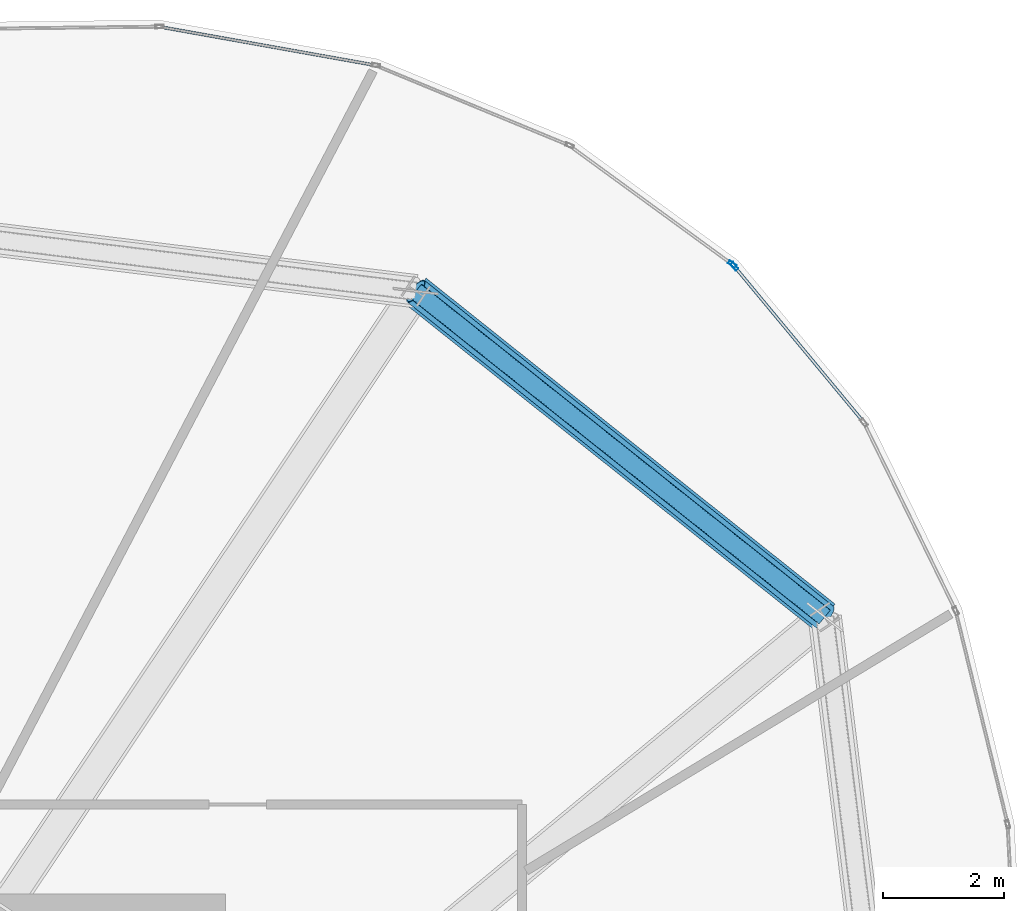
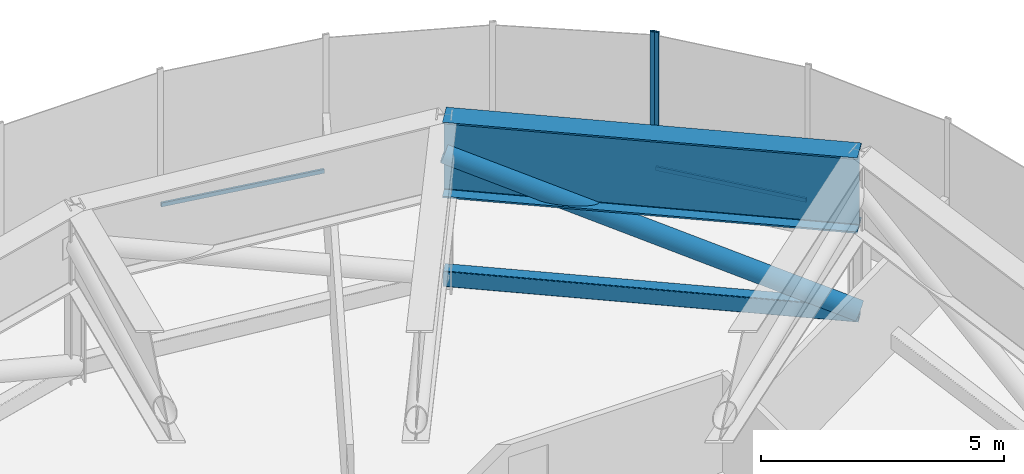
# One storey, part 19 of 26: 6 members, 1 beam, 2 elements without a shape of their own.
"""IFC4 building model written with IfcOpenShell, lengths in metres."""

import ifcopenshell
import ifcopenshell.guid

model = None  # the IFC model being written
_history = None  # IfcOwnerHistory: only IFC2X3 demands one
_inside = {}  # id of a spatial element -> (the spatial element, [elements in it])
_under = {}  # id of a project, library or spatial element -> (it, [spatial elements below it])
_declared = {}  # id of a project -> (the project, [libraries it declares])
_typed = {}  # id of a type object -> (the type object, [elements of that type])
_made_of = {}  # id of a material, layer set ... -> (it, [elements and type objects made of it])


def new_model(schema):
    """Start an empty IFC model of exactly this schema.

    Asked for "IFC4X3", IfcOpenShell would pick the latest addendum, in which some entities
    have other attributes; the version numbers below select the first issue.
    IFC2X3 requires an IfcOwnerHistory on every rooted entity: one is made here for all.
    """
    global model, _history
    if schema == "IFC4X3":
        model = ifcopenshell.file(schema_version=(4, 3, 0, 0))
    else:
        model = ifcopenshell.file(schema=schema)
    _inside.clear()
    _under.clear()
    _declared.clear()
    _typed.clear()
    _made_of.clear()
    _history = None
    if model.schema == "IFC2X3":
        org = make("IfcOrganization", Name="unknown")
        user = make(
            "IfcPersonAndOrganization",
            ThePerson=make("IfcPerson", FamilyName="unknown"),
            TheOrganization=org,
        )
        app = make(
            "IfcApplication",
            ApplicationDeveloper=org,
            Version="unknown",
            ApplicationFullName="unknown",
            ApplicationIdentifier="unknown",
        )
        _history = make(
            "IfcOwnerHistory",
            OwningUser=user,
            OwningApplication=app,
            ChangeAction="ADDED",
            CreationDate=0,
        )
    return model


def make(cls, **values):
    """One entity of the class cls with the attributes given. An attribute that is None is left unset."""
    return model.create_entity(
        cls, **{name: value for name, value in values.items() if value is not None}
    )


def rooted(cls, **values):
    """An entity with a GlobalId (a new one), such as an element, a storey or a relation."""
    return make(cls, GlobalId=ifcopenshell.guid.new(), OwnerHistory=_history, **values)


def si_unit(unit_type, name, prefix=None):
    """IfcSIUnit, for example si_unit("LENGTHUNIT", "METRE", prefix="MILLI")."""
    return make("IfcSIUnit", UnitType=unit_type, Prefix=prefix, Name=name)


def assignment(units):
    """IfcUnitAssignment: the units of a project."""
    return None if units is None else make("IfcUnitAssignment", Units=units)


def point(xyz):
    """IfcCartesianPoint."""
    return None if xyz is None else make("IfcCartesianPoint", Coordinates=xyz)


def direction(xyz):
    """IfcDirection."""
    return None if xyz is None else make("IfcDirection", DirectionRatios=xyz)


def frame(location, z_axis=None, x_axis=None):
    """IfcAxis2Placement3D, a coordinate frame: its origin and axes. An axis left out is left unset."""
    return make(
        "IfcAxis2Placement3D",
        Location=point(location),
        Axis=direction(z_axis),
        RefDirection=direction(x_axis),
    )


def frame_2d(location, x_axis=None):
    """IfcAxis2Placement2D, a coordinate frame in the plane: its origin and x axis."""
    return make(
        "IfcAxis2Placement2D", Location=point(location), RefDirection=direction(x_axis)
    )


def origin():
    """The frame at (0, 0, 0) with its axes left unset."""
    return frame((0.0, 0.0, 0.0))


def origin_2d():
    """The frame at (0, 0) in the plane with its x axis left unset."""
    return frame_2d((0.0, 0.0))


def place(relative_to, where):
    """IfcLocalPlacement: puts the frame where relative to a parent placement (None: the world)."""
    return make(
        "IfcLocalPlacement", PlacementRelTo=relative_to, RelativePlacement=where
    )


def context(
    kind, dimensions, precision=None, world=None, true_north=None, identifier=None
):
    """IfcGeometricRepresentationContext, for example the 3D "Model" context."""
    return make(
        "IfcGeometricRepresentationContext",
        ContextIdentifier=identifier,
        ContextType=kind,
        CoordinateSpaceDimension=dimensions,
        Precision=precision,
        WorldCoordinateSystem=world,
        TrueNorth=true_north,
    )


def subcontext(parent, identifier, kind, view, scale=None):
    """IfcGeometricRepresentationSubContext, for example "Body" below "Model"."""
    return make(
        "IfcGeometricRepresentationSubContext",
        ContextIdentifier=identifier,
        ContextType=kind,
        ParentContext=parent,
        TargetScale=scale,
        TargetView=view,
    )


def project(units=None, contexts=None):
    """IfcProject with its units and contexts."""
    return rooted(
        "IfcProject",
        Name="project",
        RepresentationContexts=contexts,
        UnitsInContext=assignment(units),
    )


def spatial(cls, under=None, at=None, **own):
    """A site, building, storey or space (cls), placed at a placement, below another one or the project."""
    s = rooted(cls, ObjectPlacement=at, **own)
    if under is not None:
        _under.setdefault(under.id(), (under, []))[1].append(s)
    return s


def profile(cls, at=None, kind="AREA", **sizes):
    """A parametric profile (cls). Its sizes go by their IFC names, for example OverallWidth=200.0."""
    return make(cls, ProfileType=kind, Position=at, **sizes)


def hollow_rectangle(**sizes):
    """IfcRectangleHollowProfileDef."""
    return profile("IfcRectangleHollowProfileDef", **sizes)


def hollow_circle(**sizes):
    """IfcCircleHollowProfileDef."""
    return profile("IfcCircleHollowProfileDef", **sizes)


def i_section(**sizes):
    """IfcIShapeProfileDef."""
    return profile("IfcIShapeProfileDef", **sizes)


def extrude(swept, where, along, depth):
    """IfcExtrudedAreaSolid: the profile swept, set in the frame where, extruded along a direction by depth."""
    return make(
        "IfcExtrudedAreaSolid",
        SweptArea=swept,
        Position=where,
        ExtrudedDirection=direction(along),
        Depth=depth,
    )


def shape(context_of_items, identifier, shape_type, items):
    """IfcShapeRepresentation: the items that make up one representation, for example the "Body"."""
    return make(
        "IfcShapeRepresentation",
        ContextOfItems=context_of_items,
        RepresentationIdentifier=identifier,
        RepresentationType=shape_type,
        Items=items,
    )


def source(mapping_origin, context_of_items, identifier, shape_type, items):
    """IfcRepresentationMap: a shape defined once, which mapped items show again and again."""
    return make(
        "IfcRepresentationMap",
        MappingOrigin=mapping_origin,
        MappedRepresentation=shape(context_of_items, identifier, shape_type, items),
    )


def transform(
    local_origin,
    x_axis=None,
    y_axis=None,
    z_axis=None,
    scale=None,
    scale2=None,
    scale3=None,
    uniform=True,
):
    """IfcCartesianTransformationOperator3D, or its non-uniform kind. x_axis, y_axis, z_axis: its Axis1, 2, 3."""
    if uniform:
        return make(
            "IfcCartesianTransformationOperator3D",
            Axis1=direction(x_axis),
            Axis2=direction(y_axis),
            LocalOrigin=point(local_origin),
            Scale=scale,
            Axis3=direction(z_axis),
        )
    return make(
        "IfcCartesianTransformationOperator3DnonUniform",
        Axis1=direction(x_axis),
        Axis2=direction(y_axis),
        LocalOrigin=point(local_origin),
        Scale=scale,
        Axis3=direction(z_axis),
        Scale2=scale2,
        Scale3=scale3,
    )


def mapped(mapping_source, mapping_target):
    """IfcMappedItem: shows the shape of a source again, moved by a transform."""
    return make(
        "IfcMappedItem", MappingSource=mapping_source, MappingTarget=mapping_target
    )


def material(Name=None, Category=None):
    """IfcMaterial."""
    return make("IfcMaterial", Name=Name, Category=Category)


def layer(
    of_material, thickness, ventilated=None, Name=None, Category=None, Priority=None
):
    """IfcMaterialLayer: one layer of a wall or slab, of a material (None: an air gap)."""
    return make(
        "IfcMaterialLayer",
        Material=of_material,
        LayerThickness=thickness,
        IsVentilated=ventilated,
        Name=Name,
        Category=Category,
        Priority=Priority,
    )


def layer_set(layers, Name=None):
    """IfcMaterialLayerSet."""
    return make("IfcMaterialLayerSet", MaterialLayers=layers, LayerSetName=Name)


def material_profile(
    of_material, cross_section, Name=None, Category=None, Priority=None
):
    """IfcMaterialProfile: a cross section and its material."""
    return make(
        "IfcMaterialProfile",
        Name=Name,
        Material=of_material,
        Profile=cross_section,
        Priority=Priority,
        Category=Category,
    )


def profile_set(profiles, Name=None, composite=None):
    """IfcMaterialProfileSet."""
    return make(
        "IfcMaterialProfileSet",
        Name=Name,
        MaterialProfiles=profiles,
        CompositeProfile=composite,
    )


def made_of(thing, what):
    """Note that an element or type object is made of a material, layer set ...; save() writes the relation."""
    if what is not None:
        _made_of.setdefault(what.id(), (what, []))[1].append(thing)
    return thing


def type_object(cls, material=None, **own):
    """A type object (cls), such as IfcWallType, which elements share."""
    return made_of(rooted(cls, **own), material)


def element(
    cls,
    number,
    at=None,
    inside=None,
    cuts=None,
    type_object=None,
    material=None,
    context=None,
    identifier="Body",
    shape_type=None,
    held_by="IfcProductDefinitionShape",
    body=None,
    shapes=None,
    **own,
):
    """One element of the class cls, such as IfcWall. Its Tag is "e" and its number.

    at: its placement. inside: the storey or other place that contains it. cuts: it is an
    opening in that element (IfcRelVoidsElement). A single representation is given by context,
    identifier, shape_type and body (its items); several are given by shapes. held_by: the class
    of the entity that holds the representations. save() writes the other relations.
    """
    e = rooted(cls, Tag="e%d" % number, ObjectPlacement=at, **own)
    if body is not None:
        shapes = [shape(context, identifier, shape_type, body)]
    if shapes is not None:
        e.Representation = make(held_by, Representations=shapes)
    if inside is not None:
        _inside.setdefault(inside.id(), (inside, []))[1].append(e)
    if cuts is not None:
        rooted(
            "IfcRelVoidsElement", RelatingBuildingElement=cuts, RelatedOpeningElement=e
        )
    if type_object is not None:
        _typed.setdefault(type_object.id(), (type_object, []))[1].append(e)
    return made_of(e, material)


def aggregate(whole, parts):
    """IfcRelAggregates: a whole, such as a stair, and the parts it consists of."""
    return rooted("IfcRelAggregates", RelatingObject=whole, RelatedObjects=parts)


def save(model, path):
    """Write the relations noted so far, then the file.

    IfcRelAggregates (storeys below a building ...), IfcRelContainedInSpatialStructure (elements
    in a storey), IfcRelDefinesByType, IfcRelAssociatesMaterial and IfcRelDeclares: one each for
    every whole, place, type object, material and project.
    """
    for whole, parts in _under.values():
        aggregate(whole, parts)
    for where, things in _inside.values():
        rooted(
            "IfcRelContainedInSpatialStructure",
            RelatedElements=things,
            RelatingStructure=where,
        )
    for kind, things in _typed.values():
        rooted("IfcRelDefinesByType", RelatedObjects=things, RelatingType=kind)
    for what, things in _made_of.values():
        rooted("IfcRelAssociatesMaterial", RelatedObjects=things, RelatingMaterial=what)
    for by, libraries in _declared.values():
        rooted("IfcRelDeclares", RelatingContext=by, RelatedDefinitions=libraries)
    model.write(path)


model = new_model("IFC4")

# Units and contexts
model_context = context("Model", 3, precision=1e-05, world=origin(), true_north=direction((0.0, 1.0)))
body_context = subcontext(model_context, "Body", "Model", "MODEL_VIEW")
ifc_project = project(units=[si_unit("LENGTHUNIT", "METRE"), si_unit("AREAUNIT", "SQUARE_METRE"), si_unit("VOLUMEUNIT", "CUBIC_METRE"), si_unit("PLANEANGLEUNIT", "RADIAN"), si_unit("MASSUNIT", "GRAM", prefix="KILO"), si_unit("THERMODYNAMICTEMPERATUREUNIT", "KELVIN")], contexts=[model_context])

# Site, building, storey
site_placement = place(None, origin())
site = spatial("IfcSite", under=ifc_project, at=site_placement, CompositionType="ELEMENT")
building_placement = place(site_placement, origin())
building = spatial("IfcBuilding", under=site, at=building_placement, Name="Kethvar Cultural Tower", CompositionType="ELEMENT")
storey_placement = place(building_placement, frame((0.0, 0.0, 223.60009765625)))
storey = spatial("IfcBuildingStorey", under=building, at=storey_placement, Name="L58", CompositionType="ELEMENT", Elevation=223.60009765625)

# Beam
ifc_material_1 = material(Name="Steel S460M", Category="steel")
ifc_material_profile_1 = material_profile(ifc_material_1, i_section(OverallWidth=0.550048828125, OverallDepth=1.89990234375, WebThickness=0.02490234375, FlangeThickness=0.0400390625, FilletRadius=0.02001953125, at=origin_2d()), Name="Steel S460M — PG1900x550x40x25")
ifc_profile_set_1 = profile_set([ifc_material_profile_1], Name="Steel S460M — PG1900x550x40x25")
beam_type = type_object("IfcBeamType", Name="BM-TR1900", PredefinedType="BEAM", material=ifc_profile_set_1)
shared_shape_1 = source(origin(), body_context, "Body", "SweptSolid", [
    extrude(i_section(OverallWidth=0.550048828125, OverallDepth=1.89990234375, WebThickness=0.02490234375, FlangeThickness=0.0400390625, FilletRadius=0.02001953125, at=origin_2d()), origin(), (0.0, 0.0, 1.0), 8.638916015625),
])
beam_placement = place(storey_placement, frame((65.504150390625, 40.297607421875, 3.427978515625), z_axis=(-0.782058475366, 0.623205055425, 0.0), x_axis=(-0.623205055425, -0.782058475366, 0.0)))
element("IfcBeam", 1, at=beam_placement, inside=storey, type_object=beam_type, Name="L58 Ring Belt Girder BG-02", PredefinedType="BEAM", context=body_context, shape_type="MappedRepresentation", body=[
    mapped(shared_shape_1, transform((0.0, 0.0, 0.0), scale=1.0)),
])

# Members
ifc_material_profile_2 = material_profile(ifc_material_1, hollow_rectangle(XDim=0.300048828125, YDim=0.39990234375, WallThickness=0.01611328125, InnerFilletRadius=0.01611328125, OuterFilletRadius=0.031982421875, at=origin_2d()), Name="Steel S460M — RHS400x300x16")
ifc_profile_set_2 = profile_set([ifc_material_profile_2], Name="Steel S460M — RHS400x300x16")
member_type_1 = type_object("IfcMemberType", Name="MB-CHD-400", PredefinedType="CHORD", material=ifc_profile_set_2)
shared_shape_2 = source(origin(), body_context, "Body", "SweptSolid", [
    extrude(hollow_rectangle(XDim=0.300048828125, YDim=0.39990234375, WallThickness=0.01611328125, InnerFilletRadius=0.01611328125, OuterFilletRadius=0.031982421875, at=origin_2d()), origin(), (0.0, 0.0, 1.0), 8.638916015625),
])
member_1_placement = place(storey_placement, frame((65.504150390625, 40.297607421875, 0.349853515625), z_axis=(-0.782058475366, 0.623205055425, 0.0), x_axis=(-0.623205055425, -0.782058475366, 0.0)))
element("IfcMember", 2, at=member_1_placement, inside=storey, type_object=member_type_1, Name="L58 Ring Belt Bottom Chord BC-02", PredefinedType="CHORD", context=body_context, shape_type="MappedRepresentation", body=[
    mapped(shared_shape_2, transform((0.0, 0.0, 0.0), scale=1.0)),
])
ifc_material_2 = material(Name="Steel S355J2", Category="steel")
ifc_material_profile_3 = material_profile(ifc_material_2, hollow_circle(Radius=0.228515625, WallThickness=0.01611328125, at=origin_2d()), Name="Steel S355J2 — CHS457x16")
ifc_profile_set_3 = profile_set([ifc_material_profile_3], Name="Steel S355J2 — CHS457x16")
member_type_2 = type_object("IfcMemberType", Name="MB-OUT-457", PredefinedType="BRACE", material=ifc_profile_set_3)
shared_shape_3 = source(origin(), body_context, "Body", "SweptSolid", [
    extrude(hollow_circle(Radius=0.228515625, WallThickness=0.01611328125, at=origin_2d()), origin(), (0.0, 0.0, 1.0), 9.1708984375),
])
member_2_placement = place(storey_placement, frame((65.504150390625, 40.297607421875, 0.349853515625), z_axis=(-0.736691158285, 0.587052846547, 0.335641315494), x_axis=(-0.623205055425, -0.782058475366, 0.0)))
element("IfcMember", 3, at=member_2_placement, inside=storey, type_object=member_type_2, Name="L58 Ring Belt Diagonal BD-02", PredefinedType="BRACE", context=body_context, shape_type="MappedRepresentation", body=[
    mapped(shared_shape_3, transform((0.0, 0.0, 0.0), scale=1.0)),
])

# Curtain wall, member
ifc_material_3 = material(Name="Aluminium 6063-T6", Category="aluminium")
ifc_layer = layer(ifc_material_3, 0.179931640625, Name="Aluminium 6063-T6", Category="aluminium")
ifc_layer_set = layer_set([ifc_layer], Name="Aluminium 6063-T6 (180 mm)")
curtain_wall_type = type_object("IfcCurtainWallType", Name="CW-SYS-04-Z34", PredefinedType="NOTDEFINED", material=ifc_layer_set)
curtain_wall_1_placement = place(storey_placement, origin())
curtain_wall_1 = element("IfcCurtainWall", 4, at=curtain_wall_1_placement, inside=storey, type_object=curtain_wall_type, Name="L58 Curtain Wall Run 01", PredefinedType="NOTDEFINED")
ifc_material_profile_4 = material_profile(ifc_material_3, hollow_rectangle(XDim=0.06005859375, YDim=0.139892578125, WallThickness=0.0048828125, at=origin_2d()), Name="Aluminium 6063-T6 — RHS140x60x5")
ifc_profile_set_4 = profile_set([ifc_material_profile_4], Name="Aluminium 6063-T6 — RHS140x60x5")
member_type_3 = type_object("IfcMemberType", Name="CW-SYS-04-Z34-MUL", PredefinedType="MULLION", material=ifc_profile_set_4)
shared_shape_4 = source(origin(), body_context, "Body", "SweptSolid", [
    extrude(hollow_rectangle(XDim=0.06005859375, YDim=0.139892578125, WallThickness=0.0048828125, at=origin_2d()), origin(), (0.0, 0.0, 1.0), 4.3798828125),
])
member_3_placement = place(storey_placement, frame((63.974609375, 46.125732421875, 0.0), z_axis=(0.0, 0.0, 1.0), x_axis=(-0.58918225518, -0.808000167191, 0.0)))
member_3 = element("IfcMember", 5, at=member_3_placement, type_object=member_type_3, Name="CW-L58-R01 Mullion 1", PredefinedType="MULLION", context=body_context, shape_type="MappedRepresentation", body=[
    mapped(shared_shape_4, transform((0.0, 0.0, 0.0), scale=1.0)),
])

curtain_wall_2_placement = place(storey_placement, origin())
curtain_wall_2 = element("IfcCurtainWall", 6, at=curtain_wall_2_placement, inside=storey, type_object=curtain_wall_type, Name="L58 Curtain Wall Run 06", PredefinedType="NOTDEFINED")
member_4_placement = place(storey_placement, frame((64.01123046875, 46.09130859375, 0.0), z_axis=(0.0, 0.0, 1.0), x_axis=(-0.769410703531, -0.638754388863, 0.0)))
member_4 = element("IfcMember", 7, at=member_4_placement, type_object=member_type_3, Name="CW-L58-R06 Mullion 7", PredefinedType="MULLION", context=body_context, shape_type="MappedRepresentation", body=[
    mapped(shared_shape_4, transform((0.0, 0.0, 0.0), scale=1.0)),
])

# Member
ifc_material_profile_5 = material_profile(ifc_material_3, hollow_rectangle(XDim=0.050048828125, YDim=0.10009765625, WallThickness=0.00390625, at=origin_2d()), Name="Aluminium 6063-T6 — RHS100x50x4")
ifc_profile_set_5 = profile_set([ifc_material_profile_5], Name="Aluminium 6063-T6 — RHS100x50x4")
member_type_4 = type_object("IfcMemberType", Name="CW-SYS-04-Z34-TRN", PredefinedType="USERDEFINED", material=ifc_profile_set_5)
shared_shape_5 = source(origin(), body_context, "Body", "SweptSolid", [
    extrude(hollow_rectangle(XDim=0.050048828125, YDim=0.10009765625, WallThickness=0.00390625, at=origin_2d()), origin(), (0.0, 0.0, 1.0), 3.56591796875),
])
member_5_placement = place(storey_placement, frame((58.046142578125, 49.41943359375, 0.949951171875), z_axis=(-0.984447456846, 0.175679266588, 0.0), x_axis=(-0.175679266588, -0.984447456846, 0.0)))
member_5 = element("IfcMember", 8, at=member_5_placement, type_object=member_type_4, Name="CW-L58-R01 Transom 3", ObjectType="TRANSOM", PredefinedType="USERDEFINED", context=body_context, shape_type="MappedRepresentation", body=[
    mapped(shared_shape_5, transform((0.0, 0.0, 0.0), scale=1.0)),
])

aggregate(curtain_wall_1, [member_3, member_5])

shared_shape_6 = source(origin(), body_context, "Body", "SweptSolid", [
    extrude(hollow_rectangle(XDim=0.050048828125, YDim=0.10009765625, WallThickness=0.00390625, at=origin_2d()), origin(), (0.0, 0.0, 1.0), 3.30322265625),
])
member_6_placement = place(storey_placement, frame((66.123779296875, 43.54638671875, 0.949951171875), z_axis=(-0.638707494278, 0.769449632369, 0.0), x_axis=(-0.769449632369, -0.638707494278, 0.0)))
member_6 = element("IfcMember", 9, at=member_6_placement, type_object=member_type_4, Name="CW-L58-R06 Transom 6", ObjectType="TRANSOM", PredefinedType="USERDEFINED", context=body_context, shape_type="MappedRepresentation", body=[
    mapped(shared_shape_6, transform((0.0, 0.0, 0.0), scale=1.0)),
])

aggregate(curtain_wall_2, [member_4, member_6])

save(model, "model.ifc")
